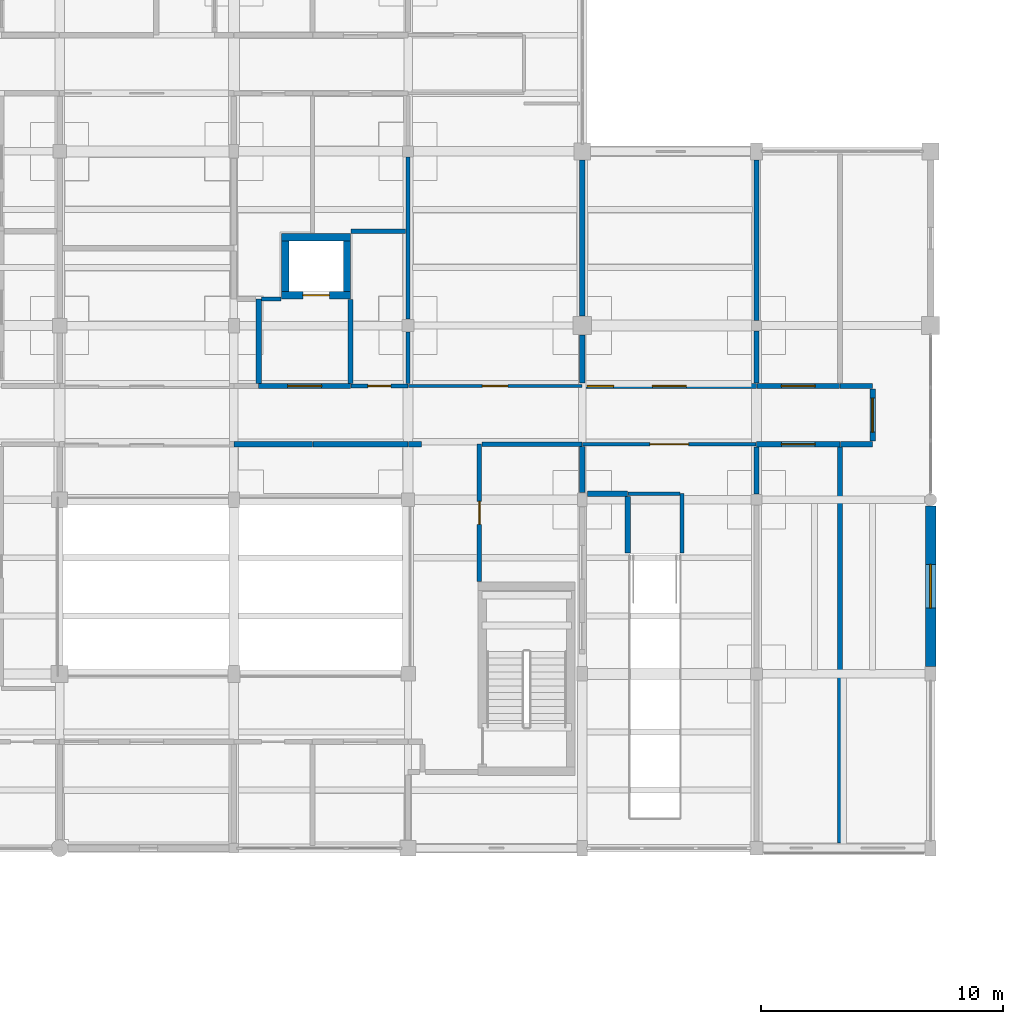
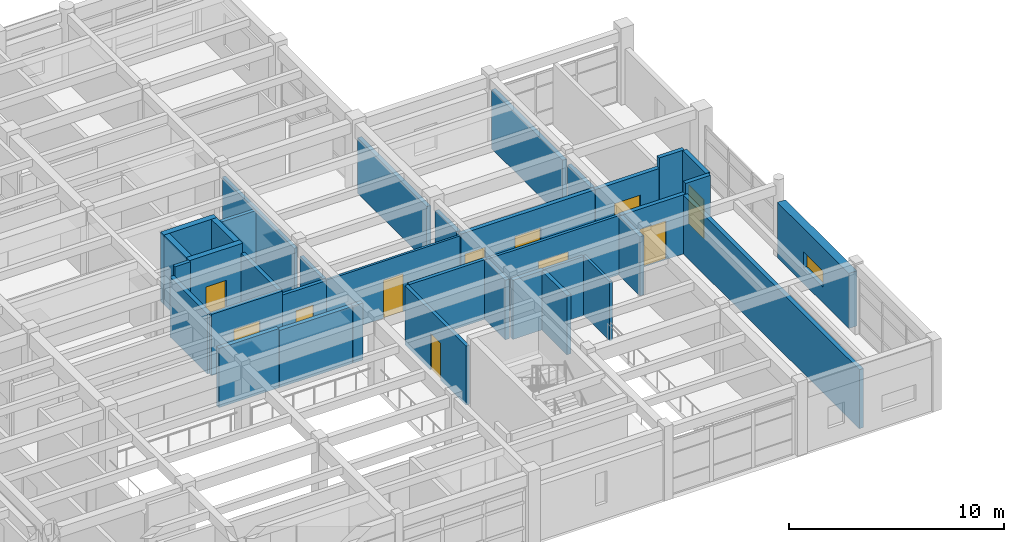
# One storey, part 95 of 110: 37 walls, 10 doors, 2 windows, 12 openings.
"""IFC4 building model written with IfcOpenShell, lengths in metres."""

import ifcopenshell
import ifcopenshell.guid

model = None  # the IFC model being written
_history = None  # IfcOwnerHistory: only IFC2X3 demands one
_inside = {}  # id of a spatial element -> (the spatial element, [elements in it])
_under = {}  # id of a project, library or spatial element -> (it, [spatial elements below it])
_declared = {}  # id of a project -> (the project, [libraries it declares])
_typed = {}  # id of a type object -> (the type object, [elements of that type])
_made_of = {}  # id of a material, layer set ... -> (it, [elements and type objects made of it])


def new_model(schema):
    """Start an empty IFC model of exactly this schema.

    Asked for "IFC4X3", IfcOpenShell would pick the latest addendum, in which some entities
    have other attributes; the version numbers below select the first issue.
    IFC2X3 requires an IfcOwnerHistory on every rooted entity: one is made here for all.
    """
    global model, _history
    if schema == "IFC4X3":
        model = ifcopenshell.file(schema_version=(4, 3, 0, 0))
    else:
        model = ifcopenshell.file(schema=schema)
    _inside.clear()
    _under.clear()
    _declared.clear()
    _typed.clear()
    _made_of.clear()
    _history = None
    if model.schema == "IFC2X3":
        org = make("IfcOrganization", Name="unknown")
        user = make(
            "IfcPersonAndOrganization",
            ThePerson=make("IfcPerson", FamilyName="unknown"),
            TheOrganization=org,
        )
        app = make(
            "IfcApplication",
            ApplicationDeveloper=org,
            Version="unknown",
            ApplicationFullName="unknown",
            ApplicationIdentifier="unknown",
        )
        _history = make(
            "IfcOwnerHistory",
            OwningUser=user,
            OwningApplication=app,
            ChangeAction="ADDED",
            CreationDate=0,
        )
    return model


def make(cls, **values):
    """One entity of the class cls with the attributes given. An attribute that is None is left unset."""
    return model.create_entity(
        cls, **{name: value for name, value in values.items() if value is not None}
    )


def rooted(cls, **values):
    """An entity with a GlobalId (a new one), such as an element, a storey or a relation."""
    return make(cls, GlobalId=ifcopenshell.guid.new(), OwnerHistory=_history, **values)


def si_unit(unit_type, name, prefix=None):
    """IfcSIUnit, for example si_unit("LENGTHUNIT", "METRE", prefix="MILLI")."""
    return make("IfcSIUnit", UnitType=unit_type, Prefix=prefix, Name=name)


def assignment(units):
    """IfcUnitAssignment: the units of a project."""
    return None if units is None else make("IfcUnitAssignment", Units=units)


def point(xyz):
    """IfcCartesianPoint."""
    return None if xyz is None else make("IfcCartesianPoint", Coordinates=xyz)


def direction(xyz):
    """IfcDirection."""
    return None if xyz is None else make("IfcDirection", DirectionRatios=xyz)


def frame(location, z_axis=None, x_axis=None):
    """IfcAxis2Placement3D, a coordinate frame: its origin and axes. An axis left out is left unset."""
    return make(
        "IfcAxis2Placement3D",
        Location=point(location),
        Axis=direction(z_axis),
        RefDirection=direction(x_axis),
    )


def frame_2d(location, x_axis=None):
    """IfcAxis2Placement2D, a coordinate frame in the plane: its origin and x axis."""
    return make(
        "IfcAxis2Placement2D", Location=point(location), RefDirection=direction(x_axis)
    )


def origin():
    """The frame at (0, 0, 0) with its axes left unset."""
    return frame((0.0, 0.0, 0.0))


def place(relative_to, where):
    """IfcLocalPlacement: puts the frame where relative to a parent placement (None: the world)."""
    return make(
        "IfcLocalPlacement", PlacementRelTo=relative_to, RelativePlacement=where
    )


def context(
    kind, dimensions, precision=None, world=None, true_north=None, identifier=None
):
    """IfcGeometricRepresentationContext, for example the 3D "Model" context."""
    return make(
        "IfcGeometricRepresentationContext",
        ContextIdentifier=identifier,
        ContextType=kind,
        CoordinateSpaceDimension=dimensions,
        Precision=precision,
        WorldCoordinateSystem=world,
        TrueNorth=true_north,
    )


def subcontext(parent, identifier, kind, view, scale=None):
    """IfcGeometricRepresentationSubContext, for example "Body" below "Model"."""
    return make(
        "IfcGeometricRepresentationSubContext",
        ContextIdentifier=identifier,
        ContextType=kind,
        ParentContext=parent,
        TargetScale=scale,
        TargetView=view,
    )


def project(units=None, contexts=None):
    """IfcProject with its units and contexts."""
    return rooted(
        "IfcProject",
        Name="project",
        RepresentationContexts=contexts,
        UnitsInContext=assignment(units),
    )


def spatial(cls, under=None, at=None, **own):
    """A site, building, storey or space (cls), placed at a placement, below another one or the project."""
    s = rooted(cls, ObjectPlacement=at, **own)
    if under is not None:
        _under.setdefault(under.id(), (under, []))[1].append(s)
    return s


def profile(cls, at=None, kind="AREA", **sizes):
    """A parametric profile (cls). Its sizes go by their IFC names, for example OverallWidth=200.0."""
    return make(cls, ProfileType=kind, Position=at, **sizes)


def rectangle(**sizes):
    """IfcRectangleProfileDef."""
    return profile("IfcRectangleProfileDef", **sizes)


def extrude(swept, where, along, depth):
    """IfcExtrudedAreaSolid: the profile swept, set in the frame where, extruded along a direction by depth."""
    return make(
        "IfcExtrudedAreaSolid",
        SweptArea=swept,
        Position=where,
        ExtrudedDirection=direction(along),
        Depth=depth,
    )


def shape(context_of_items, identifier, shape_type, items):
    """IfcShapeRepresentation: the items that make up one representation, for example the "Body"."""
    return make(
        "IfcShapeRepresentation",
        ContextOfItems=context_of_items,
        RepresentationIdentifier=identifier,
        RepresentationType=shape_type,
        Items=items,
    )


def material(Name=None, Category=None):
    """IfcMaterial."""
    return make("IfcMaterial", Name=Name, Category=Category)


def layer(
    of_material, thickness, ventilated=None, Name=None, Category=None, Priority=None
):
    """IfcMaterialLayer: one layer of a wall or slab, of a material (None: an air gap)."""
    return make(
        "IfcMaterialLayer",
        Material=of_material,
        LayerThickness=thickness,
        IsVentilated=ventilated,
        Name=Name,
        Category=Category,
        Priority=Priority,
    )


def layer_set(layers, Name=None):
    """IfcMaterialLayerSet."""
    return make("IfcMaterialLayerSet", MaterialLayers=layers, LayerSetName=Name)


def made_of(thing, what):
    """Note that an element or type object is made of a material, layer set ...; save() writes the relation."""
    if what is not None:
        _made_of.setdefault(what.id(), (what, []))[1].append(thing)
    return thing


def type_object(cls, material=None, **own):
    """A type object (cls), such as IfcWallType, which elements share."""
    return made_of(rooted(cls, **own), material)


def element(
    cls,
    number,
    at=None,
    inside=None,
    cuts=None,
    type_object=None,
    material=None,
    context=None,
    identifier="Body",
    shape_type=None,
    held_by="IfcProductDefinitionShape",
    body=None,
    shapes=None,
    **own,
):
    """One element of the class cls, such as IfcWall. Its Tag is "e" and its number.

    at: its placement. inside: the storey or other place that contains it. cuts: it is an
    opening in that element (IfcRelVoidsElement). A single representation is given by context,
    identifier, shape_type and body (its items); several are given by shapes. held_by: the class
    of the entity that holds the representations. save() writes the other relations.
    """
    e = rooted(cls, Tag="e%d" % number, ObjectPlacement=at, **own)
    if body is not None:
        shapes = [shape(context, identifier, shape_type, body)]
    if shapes is not None:
        e.Representation = make(held_by, Representations=shapes)
    if inside is not None:
        _inside.setdefault(inside.id(), (inside, []))[1].append(e)
    if cuts is not None:
        rooted(
            "IfcRelVoidsElement", RelatingBuildingElement=cuts, RelatedOpeningElement=e
        )
    if type_object is not None:
        _typed.setdefault(type_object.id(), (type_object, []))[1].append(e)
    return made_of(e, material)


def fill(opening, filler):
    """IfcRelFillsElement: the door or window that sits in an opening."""
    return rooted(
        "IfcRelFillsElement",
        RelatingOpeningElement=opening,
        RelatedBuildingElement=filler,
    )


def aggregate(whole, parts):
    """IfcRelAggregates: a whole, such as a stair, and the parts it consists of."""
    return rooted("IfcRelAggregates", RelatingObject=whole, RelatedObjects=parts)


def save(model, path):
    """Write the relations noted so far, then the file.

    IfcRelAggregates (storeys below a building ...), IfcRelContainedInSpatialStructure (elements
    in a storey), IfcRelDefinesByType, IfcRelAssociatesMaterial and IfcRelDeclares: one each for
    every whole, place, type object, material and project.
    """
    for whole, parts in _under.values():
        aggregate(whole, parts)
    for where, things in _inside.values():
        rooted(
            "IfcRelContainedInSpatialStructure",
            RelatedElements=things,
            RelatingStructure=where,
        )
    for kind, things in _typed.values():
        rooted("IfcRelDefinesByType", RelatedObjects=things, RelatingType=kind)
    for what, things in _made_of.values():
        rooted("IfcRelAssociatesMaterial", RelatedObjects=things, RelatingMaterial=what)
    for by, libraries in _declared.values():
        rooted("IfcRelDeclares", RelatingContext=by, RelatedDefinitions=libraries)
    model.write(path)


model = new_model("IFC4")

# Units and contexts
model_context = context("Model", 3, precision=1e-05, world=origin(), true_north=direction((0.0, 1.0)))
body_context = subcontext(model_context, "Body", "Model", "MODEL_VIEW")
ifc_project = project(units=[si_unit("LENGTHUNIT", "METRE"), si_unit("AREAUNIT", "SQUARE_METRE"), si_unit("VOLUMEUNIT", "CUBIC_METRE"), si_unit("PLANEANGLEUNIT", "RADIAN"), si_unit("MASSUNIT", "GRAM", prefix="KILO")], contexts=[model_context])

# Site, building, storey
site_placement = place(None, origin())
site = spatial("IfcSite", under=ifc_project, at=site_placement, CompositionType="ELEMENT")
building_placement = place(site_placement, origin())
building = spatial("IfcBuilding", under=site, at=building_placement, Name="Steenspoor Specialist Clinic", CompositionType="ELEMENT")
storey_placement = place(building_placement, frame((0.0, 0.0, 4.800048828125)))
storey = spatial("IfcBuildingStorey", under=building, at=storey_placement, Name="L01", CompositionType="ELEMENT", Elevation=4.800048828125)

# Wall, opening, window
ifc_material_1 = material(Name="Extruded clay brick masonry", Category="masonry")
ifc_layer_1 = layer(ifc_material_1, 0.43994140625)
ifc_layer_set_1 = layer_set([ifc_layer_1], Name="Extruded clay brick masonry")
wall_type_1 = type_object("IfcWallType", Name="W-BRICK-440", PredefinedType="USERDEFINED", material=ifc_layer_set_1)
wall_1_placement = place(storey_placement, frame((161.199951171875, 79.300048828125, 0.0), z_axis=(0.0, 0.0, 1.0), x_axis=(0.0, -1.0, 0.0)))
wall_1 = element("IfcWall", 1, at=wall_1_placement, inside=storey, type_object=wall_type_1, Name="Exterior Brick Wall EW-V6-L01-0311", ObjectType="CAVITY VENEER", PredefinedType="USERDEFINED", context=body_context, shape_type="SweptSolid", body=[
    extrude(rectangle(XDim=6.650146484375, YDim=0.43994140625, at=frame_2d((3.3251953125, 0.0))), origin(), (0.0, 0.0, 1.0), 3.1298828125),
])
opening_1_placement = place(wall_1_placement, frame((2.425048828125, 0.0, 0.89990234375)))
opening_1 = element("IfcOpeningElement", 2, at=opening_1_placement, cuts=wall_1, Name="Opening WN-22", PredefinedType="OPENING", context=body_context, shape_type="SweptSolid", body=[
    extrude(rectangle(XDim=1.800048828125, YDim=0.89990234375, at=frame_2d((0.89990234375, 0.449951171875))), frame((0.0, 0.22998046875, 0.0), z_axis=(0.0, -1.0, 0.0), x_axis=(1.0, 0.0, 0.0)), (0.0, 0.0, 1.0), 0.4599609375),
])
ifc_material_2 = material(Name="Thermally broken aluminium and low-emissivity glass", Category="aluminium")
window_type_1 = type_object("IfcWindowType", Name="WN-EXT-180X090", PartitioningType="SINGLE_PANEL", PredefinedType="WINDOW", material=ifc_material_2)
window_1_placement = place(opening_1_placement, origin())
window_1 = element("IfcWindow", 3, at=window_1_placement, inside=storey, type_object=window_type_1, Name="Window 0333", OverallHeight=0.89990234375, OverallWidth=1.800048828125, PartitioningType="SINGLE_PANEL", PredefinedType="WINDOW", context=body_context, shape_type="SweptSolid", body=[
    extrude(rectangle(XDim=1.800048828125, YDim=0.89990234375, at=frame_2d((0.89990234375, 0.449951171875))), frame((0.0, 0.030029296875, 0.0), z_axis=(0.0, -1.0, 0.0), x_axis=(1.0, 0.0, 0.0)), (0.0, 0.0, 1.0), 0.06005859375),
])
fill(opening_1, window_1)

# Wall, opening, door
ifc_material_3 = material(Name="Gypsum acoustic clinical partition", Category="gypsum")
ifc_layer_2 = layer(ifc_material_3, 0.14990234375)
ifc_layer_set_2 = layer_set([ifc_layer_2], Name="Gypsum acoustic clinical partition")
wall_type_2 = type_object("IfcWallType", Name="W-CLIN-150", PredefinedType="PARTITIONING", material=ifc_layer_set_2)
wall_2_placement = place(storey_placement, frame((146.81494140625, 81.85009765625, 0.0), z_axis=(0.0, 0.0, 1.0), x_axis=(1.0, 0.0, 0.0)))
wall_2 = element("IfcWall", 4, at=wall_2_placement, inside=storey, type_object=wall_type_2, Name="Interior Partition IW-V6-L01-0935", PredefinedType="PARTITIONING", context=body_context, shape_type="SweptSolid", body=[
    extrude(rectangle(XDim=7.170166015625, YDim=0.14990234375, at=frame_2d((3.5849609375, 0.0))), origin(), (0.0, 0.0, 1.0), 3.35498046875),
])
opening_2_placement = place(wall_2_placement, frame((2.784912109375, 0.0, 0.0)))
opening_2 = element("IfcOpeningElement", 5, at=opening_2_placement, cuts=wall_2, Name="Opening D0433", PredefinedType="OPENING", context=body_context, shape_type="SweptSolid", body=[
    extrude(rectangle(XDim=1.60009765625, YDim=2.25, at=frame_2d((0.800048828125, 1.125))), frame((0.0, 0.0849609375, 0.0), z_axis=(0.0, -1.0, 0.0), x_axis=(1.0, 0.0, 0.0)), (0.0, 0.0, 1.0), 0.169921875),
])
ifc_material_4 = material(Name="Hygienic HPL clinical timber door", Category="wood")
door_type_1 = type_object("IfcDoorType", Name="DT-PROC-160X225", OperationType="NOTDEFINED", PredefinedType="DOOR", material=ifc_material_4)
door_1_placement = place(opening_2_placement, origin())
door_1 = element("IfcDoor", 6, at=door_1_placement, inside=storey, type_object=door_type_1, Name="Clinical Door D0433", OperationType="SINGLE_SWING_RIGHT", OverallHeight=2.25, OverallWidth=1.60009765625, PredefinedType="DOOR", context=body_context, shape_type="SweptSolid", body=[
    extrude(rectangle(XDim=1.60009765625, YDim=2.25, at=frame_2d((0.800048828125, 1.125))), frame((0.0, 0.02490234375, 0.0), z_axis=(0.0, -1.0, 0.0), x_axis=(1.0, 0.0, 0.0)), (0.0, 0.0, 1.0), 0.050048828125),
])
fill(opening_2, door_1)

# Walls
wall_3_placement = place(storey_placement, frame((150.925048828125, 77.35009765625, 0.0), z_axis=(0.0, 0.0, 1.0), x_axis=(0.0, 1.0, 0.0)))
element("IfcWall", 7, at=wall_3_placement, inside=storey, type_object=wall_type_2, Name="Interior Partition IW-V6-L01-1213", PredefinedType="PARTITIONING", context=body_context, shape_type="SweptSolid", body=[
    extrude(rectangle(XDim=2.449951171875, YDim=0.14990234375, at=frame_2d((1.22509765625, 0.0))), origin(), (0.0, 0.0, 1.0), 3.35498046875),
])
wall_4_placement = place(storey_placement, frame((148.68994140625, 79.800048828125, 0.0), z_axis=(0.0, 0.0, 1.0), x_axis=(1.0, 0.0, 0.0)))
element("IfcWall", 8, at=wall_4_placement, inside=storey, type_object=wall_type_2, Name="Interior Partition IW-V6-L01-1214", PredefinedType="PARTITIONING", context=body_context, shape_type="SweptSolid", body=[
    extrude(rectangle(XDim=2.14501953125, YDim=0.14990234375, at=frame_2d((1.072509765625, 0.0))), origin(), (0.0, 0.0, 1.0), 3.35498046875),
])
ifc_material_5 = material(Name="Fire-rated clay blockwork masonry", Category="masonry")
ifc_layer_3 = layer(ifc_material_5, 0.219970703125)
ifc_layer_set_3 = layer_set([ifc_layer_3], Name="Fire-rated clay blockwork masonry")
wall_type_3 = type_object("IfcWallType", Name="W-FIRE-220", PredefinedType="PARTITIONING", material=ifc_layer_set_3)
wall_5_placement = place(storey_placement, frame((133.425048828125, 84.364990234375, 0.0), z_axis=(0.0, 0.0, 1.0), x_axis=(0.0, 1.0, 0.0)))
element("IfcWall", 9, at=wall_5_placement, inside=storey, type_object=wall_type_3, Name="Interior Partition IW-V6-L01-0683", PredefinedType="PARTITIONING", context=body_context, shape_type="SweptSolid", body=[
    extrude(rectangle(XDim=3.485107421875, YDim=0.219970703125, at=frame_2d((1.74267578125, 0.0))), origin(), (0.0, 0.0, 1.0), 3.4150390625),
])

# Wall, opening, door
wall_6_placement = place(storey_placement, frame((154.0, 81.85009765625, 0.0), z_axis=(0.0, 0.0, 1.0), x_axis=(1.0, 0.0, 0.0)))
wall_6 = element("IfcWall", 10, at=wall_6_placement, inside=storey, type_object=wall_type_3, Name="Interior Partition IW-V6-L01-0706", PredefinedType="PARTITIONING", context=body_context, shape_type="SweptSolid", body=[
    extrude(rectangle(XDim=3.449951171875, YDim=0.219970703125, at=frame_2d((1.72509765625, 0.0))), origin(), (0.0, 0.0, 1.0), 3.35498046875),
])
opening_3_placement = place(wall_6_placement, frame((1.02490234375, 0.0, 0.0)))
opening_3 = element("IfcOpeningElement", 11, at=opening_3_placement, cuts=wall_6, Name="Opening D0434", PredefinedType="OPENING", context=body_context, shape_type="SweptSolid", body=[
    extrude(rectangle(XDim=1.39990234375, YDim=2.199951171875, at=frame_2d((0.699951171875, 1.10009765625))), frame((0.0, 0.1201171875, 0.0), z_axis=(0.0, -1.0, 0.0), x_axis=(1.0, 0.0, 0.0)), (0.0, 0.0, 1.0), 0.239990234375),
])
ifc_material_6 = material(Name="Fire-rated clinical laminate door", Category="steel")
door_type_2 = type_object("IfcDoorType", Name="DT-LAB-140X220", OperationType="NOTDEFINED", PredefinedType="DOOR", material=ifc_material_6)
door_2_placement = place(opening_3_placement, origin())
door_2 = element("IfcDoor", 12, at=door_2_placement, inside=storey, type_object=door_type_2, Name="Clinical Door D0434", OperationType="SINGLE_SWING_LEFT", OverallHeight=2.199951171875, OverallWidth=1.39990234375, PredefinedType="DOOR", context=body_context, shape_type="SweptSolid", body=[
    extrude(rectangle(XDim=1.39990234375, YDim=2.199951171875, at=frame_2d((0.699951171875, 1.10009765625))), frame((0.0, 0.02490234375, 0.0), z_axis=(0.0, -1.0, 0.0), x_axis=(1.0, 0.0, 0.0)), (0.0, 0.0, 1.0), 0.050048828125),
])
fill(opening_3, door_2)

# Walls
wall_7_placement = place(storey_placement, frame((157.449951171875, 84.25, 0.0), z_axis=(0.0, 0.0, 1.0), x_axis=(1.0, 0.0, 0.0)))
element("IfcWall", 13, at=wall_7_placement, inside=storey, type_object=wall_type_3, Name="Interior Partition IW-V6-L01-0707", PredefinedType="PARTITIONING", context=body_context, shape_type="SweptSolid", body=[
    extrude(rectangle(XDim=1.35009765625, YDim=0.219970703125, at=frame_2d((0.675048828125, 0.0))), origin(), (0.0, 0.0, 1.0), 3.949951171875),
])
wall_8_placement = place(storey_placement, frame((157.465087890625, 81.85009765625, 0.0), z_axis=(0.0, 0.0, 1.0), x_axis=(1.0, 0.0, 0.0)))
element("IfcWall", 14, at=wall_8_placement, inside=storey, type_object=wall_type_3, Name="Interior Partition IW-V6-L01-0708", PredefinedType="PARTITIONING", context=body_context, shape_type="SweptSolid", body=[
    extrude(rectangle(XDim=1.3349609375, YDim=0.219970703125, at=frame_2d((0.66748046875, 0.0))), origin(), (0.0, 0.0, 1.0), 3.949951171875),
])

# Wall, opening, door
wall_9_placement = place(storey_placement, frame((158.800048828125, 81.97509765625, 0.0), z_axis=(0.0, 0.0, 1.0), x_axis=(0.0, 1.0, 0.0)))
wall_9 = element("IfcWall", 15, at=wall_9_placement, inside=storey, type_object=wall_type_3, Name="Interior Partition IW-V6-L01-0709", PredefinedType="PARTITIONING", context=body_context, shape_type="SweptSolid", body=[
    extrude(rectangle(XDim=2.14990234375, YDim=0.219970703125, at=frame_2d((1.074951171875, 0.0))), origin(), (0.0, 0.0, 1.0), 3.949951171875),
])
opening_4_placement = place(wall_9_placement, frame((0.375, 0.0, 0.0)))
opening_4 = element("IfcOpeningElement", 16, at=opening_4_placement, cuts=wall_9, Name="Opening D0435", PredefinedType="OPENING", context=body_context, shape_type="SweptSolid", body=[
    extrude(rectangle(XDim=1.39990234375, YDim=2.199951171875, at=frame_2d((0.699951171875, 1.10009765625))), frame((0.0, 0.1201171875, 0.0), z_axis=(0.0, -1.0, 0.0), x_axis=(1.0, 0.0, 0.0)), (0.0, 0.0, 1.0), 0.239990234375),
])
door_3_placement = place(opening_4_placement, origin())
door_3 = element("IfcDoor", 17, at=door_3_placement, inside=storey, type_object=door_type_2, Name="Clinical Door D0435", OperationType="SINGLE_SWING_RIGHT", OverallHeight=2.199951171875, OverallWidth=1.39990234375, PredefinedType="DOOR", context=body_context, shape_type="SweptSolid", body=[
    extrude(rectangle(XDim=1.39990234375, YDim=2.199951171875, at=frame_2d((0.699951171875, 1.10009765625))), frame((0.0, 0.02490234375, 0.0), z_axis=(0.0, -1.0, 0.0), x_axis=(1.0, 0.0, 0.0)), (0.0, 0.0, 1.0), 0.050048828125),
])
fill(opening_4, door_3)

# Walls
wall_10_placement = place(storey_placement, frame((132.4150390625, 81.85009765625, 0.0), z_axis=(0.0, 0.0, 1.0), x_axis=(1.0, 0.0, 0.0)))
element("IfcWall", 18, at=wall_10_placement, inside=storey, type_object=wall_type_3, Name="Interior Partition IW-V6-L01-0711", PredefinedType="PARTITIONING", context=body_context, shape_type="SweptSolid", body=[
    extrude(rectangle(XDim=3.23486328125, YDim=0.219970703125, at=frame_2d((1.617431640625, 0.0))), origin(), (0.0, 0.0, 1.0), 3.35498046875),
])
wall_11_placement = place(storey_placement, frame((135.6650390625, 81.85009765625, 0.0), z_axis=(0.0, 0.0, 1.0), x_axis=(1.0, 0.0, 0.0)))
element("IfcWall", 19, at=wall_11_placement, inside=storey, type_object=wall_type_3, Name="Interior Partition IW-V6-L01-0712", PredefinedType="PARTITIONING", context=body_context, shape_type="SweptSolid", body=[
    extrude(rectangle(XDim=3.93505859375, YDim=0.219970703125, at=frame_2d((1.967529296875, 0.0))), origin(), (0.0, 0.0, 1.0), 3.23486328125),
])
wall_12_placement = place(storey_placement, frame((139.614990234375, 81.85009765625, 0.0), z_axis=(0.0, 0.0, 1.0), x_axis=(1.0, 0.0, 0.0)))
element("IfcWall", 20, at=wall_12_placement, inside=storey, type_object=wall_type_3, Name="Interior Partition IW-V6-L01-0713", PredefinedType="PARTITIONING", context=body_context, shape_type="SweptSolid", body=[
    extrude(rectangle(XDim=0.534912109375, YDim=0.219970703125, at=frame_2d((0.267578125, 0.0))), origin(), (0.0, 0.0, 1.0), 3.23486328125),
])

# Wall, openings, door, window
wall_13_placement = place(storey_placement, frame((146.800048828125, 84.25, 0.0), z_axis=(0.0, 0.0, 1.0), x_axis=(1.0, 0.0, 0.0)))
wall_13 = element("IfcWall", 21, at=wall_13_placement, inside=storey, type_object=wall_type_3, Name="Interior Partition IW-V6-L01-0718", PredefinedType="PARTITIONING", context=body_context, shape_type="SweptSolid", body=[
    extrude(rectangle(XDim=7.199951171875, YDim=0.219970703125, at=frame_2d((3.60009765625, 0.0))), origin(), (0.0, 0.0, 1.0), 3.35498046875),
])
opening_5_placement = place(wall_13_placement, frame((2.89990234375, 0.0, 0.0)))
opening_5 = element("IfcOpeningElement", 22, at=opening_5_placement, cuts=wall_13, Name="Opening D0443", PredefinedType="OPENING", context=body_context, shape_type="SweptSolid", body=[
    extrude(rectangle(XDim=1.39990234375, YDim=2.199951171875, at=frame_2d((0.699951171875, 1.10009765625))), frame((0.0, 0.1201171875, 0.0), z_axis=(0.0, -1.0, 0.0), x_axis=(1.0, 0.0, 0.0)), (0.0, 0.0, 1.0), 0.239990234375),
])
opening_6_placement = place(wall_13_placement, frame((0.199951171875, 0.0, 1.050048828125)))
opening_6 = element("IfcOpeningElement", 23, at=opening_6_placement, cuts=wall_13, Name="Opening IWN-02", PredefinedType="OPENING", context=body_context, shape_type="SweptSolid", body=[
    extrude(rectangle(XDim=1.10009765625, YDim=1.10009765625, at=frame_2d((0.550048828125, 0.550048828125))), frame((0.0, 0.1201171875, 0.0), z_axis=(0.0, -1.0, 0.0), x_axis=(1.0, 0.0, 0.0)), (0.0, 0.0, 1.0), 0.239990234375),
])
door_4_placement = place(opening_5_placement, origin())
door_4 = element("IfcDoor", 24, at=door_4_placement, inside=storey, type_object=door_type_2, Name="Clinical Door D0443", OperationType="SINGLE_SWING_RIGHT", OverallHeight=2.199951171875, OverallWidth=1.39990234375, PredefinedType="DOOR", context=body_context, shape_type="SweptSolid", body=[
    extrude(rectangle(XDim=1.39990234375, YDim=2.199951171875, at=frame_2d((0.699951171875, 1.10009765625))), frame((0.0, 0.02490234375, 0.0), z_axis=(0.0, -1.0, 0.0), x_axis=(1.0, 0.0, 0.0)), (0.0, 0.0, 1.0), 0.050048828125),
])
fill(opening_5, door_4)
window_type_2 = type_object("IfcWindowType", Name="IWND-OBS-110X110", PartitioningType="SINGLE_PANEL", PredefinedType="WINDOW", material=ifc_material_2)
window_2_placement = place(opening_6_placement, origin())
window_2 = element("IfcWindow", 25, at=window_2_placement, inside=storey, type_object=window_type_2, Name="Observation Window 016", OverallHeight=1.10009765625, OverallWidth=1.10009765625, PartitioningType="SINGLE_PANEL", PredefinedType="WINDOW", context=body_context, shape_type="SweptSolid", body=[
    extrude(rectangle(XDim=1.10009765625, YDim=1.10009765625, at=frame_2d((0.550048828125, 0.550048828125))), frame((0.0, 0.030029296875, 0.0), z_axis=(0.0, -1.0, 0.0), x_axis=(1.0, 0.0, 0.0)), (0.0, 0.0, 1.0), 0.06005859375),
])
fill(opening_6, window_2)

# Wall, opening, door
wall_14_placement = place(storey_placement, frame((154.014892578125, 84.25, 0.0), z_axis=(0.0, 0.0, 1.0), x_axis=(1.0, 0.0, 0.0)))
wall_14 = element("IfcWall", 26, at=wall_14_placement, inside=storey, type_object=wall_type_3, Name="Interior Partition IW-V6-L01-0719", PredefinedType="PARTITIONING", context=body_context, shape_type="SweptSolid", body=[
    extrude(rectangle(XDim=3.420166015625, YDim=0.219970703125, at=frame_2d((1.7099609375, 0.0))), origin(), (0.0, 0.0, 1.0), 3.35498046875),
])
opening_7_placement = place(wall_14_placement, frame((1.010009765625, 0.0, 0.0)))
opening_7 = element("IfcOpeningElement", 27, at=opening_7_placement, cuts=wall_14, Name="Opening D0444", PredefinedType="OPENING", context=body_context, shape_type="SweptSolid", body=[
    extrude(rectangle(XDim=1.39990234375, YDim=2.199951171875, at=frame_2d((0.699951171875, 1.10009765625))), frame((0.0, 0.1201171875, 0.0), z_axis=(0.0, -1.0, 0.0), x_axis=(1.0, 0.0, 0.0)), (0.0, 0.0, 1.0), 0.239990234375),
])
door_5_placement = place(opening_7_placement, origin())
door_5 = element("IfcDoor", 28, at=door_5_placement, inside=storey, type_object=door_type_2, Name="Clinical Door D0444", OperationType="SINGLE_SWING_LEFT", OverallHeight=2.199951171875, OverallWidth=1.39990234375, PredefinedType="DOOR", context=body_context, shape_type="SweptSolid", body=[
    extrude(rectangle(XDim=1.39990234375, YDim=2.199951171875, at=frame_2d((0.699951171875, 1.10009765625))), frame((0.0, 0.02490234375, 0.0), z_axis=(0.0, -1.0, 0.0), x_axis=(1.0, 0.0, 0.0)), (0.0, 0.0, 1.0), 0.050048828125),
])
fill(opening_7, door_5)

# Walls
wall_15_placement = place(storey_placement, frame((146.800048828125, 79.840087890625, 0.0), z_axis=(0.0, 0.0, 1.0), x_axis=(0.0, 1.0, 0.0)))
element("IfcWall", 29, at=wall_15_placement, inside=storey, type_object=wall_type_3, Name="Interior Partition IW-V6-L01-1044", PredefinedType="PARTITIONING", context=body_context, shape_type="SweptSolid", body=[
    extrude(rectangle(XDim=1.905029296875, YDim=0.219970703125, at=frame_2d((0.95263671875, 0.0))), origin(), (0.0, 0.0, 1.0), 3.385009765625),
])
wall_16_placement = place(storey_placement, frame((147.014892578125, 79.800048828125, 0.0), z_axis=(0.0, 0.0, 1.0), x_axis=(1.0, 0.0, 0.0)))
element("IfcWall", 30, at=wall_16_placement, inside=storey, type_object=wall_type_3, Name="Interior Partition IW-V6-L01-1045", PredefinedType="PARTITIONING", context=body_context, shape_type="SweptSolid", body=[
    extrude(rectangle(XDim=1.66015625, YDim=0.219970703125, at=frame_2d((0.830078125, 0.0))), origin(), (0.0, 0.0, 1.0), 3.35498046875),
])
wall_17_placement = place(storey_placement, frame((148.675048828125, 77.35009765625, 0.0), z_axis=(0.0, 0.0, 1.0), x_axis=(0.0, 1.0, 0.0)))
element("IfcWall", 31, at=wall_17_placement, inside=storey, type_object=wall_type_3, Name="Interior Partition IW-V6-L01-1046", PredefinedType="PARTITIONING", context=body_context, shape_type="SweptSolid", body=[
    extrude(rectangle(XDim=2.324951171875, YDim=0.219970703125, at=frame_2d((1.16259765625, 0.0))), origin(), (0.0, 0.0, 1.0), 3.35498046875),
])
wall_18_placement = place(storey_placement, frame((154.0, 79.7900390625, 0.0), z_axis=(0.0, 0.0, 1.0), x_axis=(0.0, 1.0, 0.0)))
element("IfcWall", 32, at=wall_18_placement, inside=storey, type_object=wall_type_3, Name="Interior Partition IW-V6-L01-1049", PredefinedType="PARTITIONING", context=body_context, shape_type="SweptSolid", body=[
    extrude(rectangle(XDim=1.93505859375, YDim=0.219970703125, at=frame_2d((0.967529296875, 0.0))), origin(), (0.0, 0.0, 1.0), 3.35498046875),
])
wall_19_placement = place(storey_placement, frame((157.449951171875, 65.3701171875, 0.0), z_axis=(0.0, 0.0, 1.0), x_axis=(0.0, 1.0, 0.0)))
element("IfcWall", 33, at=wall_19_placement, inside=storey, type_object=wall_type_3, Name="Interior Partition IW-V6-L01-1050", PredefinedType="PARTITIONING", context=body_context, shape_type="SweptSolid", body=[
    extrude(rectangle(XDim=16.35498046875, YDim=0.219970703125, at=frame_2d((8.177490234375, 0.0))), origin(), (0.0, 0.0, 1.0), 3.35498046875),
])
wall_20_placement = place(storey_placement, frame((146.800048828125, 84.375, 0.0), z_axis=(0.0, 0.0, 1.0), x_axis=(0.0, 1.0, 0.0)))
element("IfcWall", 34, at=wall_20_placement, inside=storey, type_object=wall_type_3, Name="Interior Partition IW-V6-L01-1059", PredefinedType="PARTITIONING", context=body_context, shape_type="SweptSolid", body=[
    extrude(rectangle(XDim=1.985107421875, YDim=0.219970703125, at=frame_2d((0.99267578125, 0.0))), origin(), (0.0, 0.0, 1.0), 3.385009765625),
])
wall_21_placement = place(storey_placement, frame((146.800048828125, 87.139892578125, 0.0), z_axis=(0.0, 0.0, 1.0), x_axis=(0.0, 1.0, 0.0)))
element("IfcWall", 35, at=wall_21_placement, inside=storey, type_object=wall_type_3, Name="Interior Partition IW-V6-L01-1060", PredefinedType="PARTITIONING", context=body_context, shape_type="SweptSolid", body=[
    extrude(rectangle(XDim=6.445068359375, YDim=0.219970703125, at=frame_2d((3.22265625, 0.0))), origin(), (0.0, 0.0, 1.0), 3.135009765625),
])
wall_22_placement = place(storey_placement, frame((154.0, 84.375, 0.0), z_axis=(0.0, 0.0, 1.0), x_axis=(0.0, 1.0, 0.0)))
element("IfcWall", 36, at=wall_22_placement, inside=storey, type_object=wall_type_3, Name="Interior Partition IW-V6-L01-1061", PredefinedType="PARTITIONING", context=body_context, shape_type="SweptSolid", body=[
    extrude(rectangle(XDim=2.159912109375, YDim=0.219970703125, at=frame_2d((1.080078125, 0.0))), origin(), (0.0, 0.0, 1.0), 3.35498046875),
])
wall_23_placement = place(storey_placement, frame((154.0, 86.965087890625, 0.0), z_axis=(0.0, 0.0, 1.0), x_axis=(0.0, 1.0, 0.0)))
element("IfcWall", 37, at=wall_23_placement, inside=storey, type_object=wall_type_3, Name="Interior Partition IW-V6-L01-1062", PredefinedType="PARTITIONING", context=body_context, shape_type="SweptSolid", body=[
    extrude(rectangle(XDim=6.619873046875, YDim=0.219970703125, at=frame_2d((3.31005859375, 0.0))), origin(), (0.0, 0.0, 1.0), 3.35498046875),
])

# Wall, opening, door
ifc_material_7 = material(Name="Gypsum studio partition board", Category="gypsum")
ifc_layer_4 = layer(ifc_material_7, 0.1201171875)
ifc_layer_set_4 = layer_set([ifc_layer_4], Name="Gypsum studio partition board")
wall_type_4 = type_object("IfcWallType", Name="W-PART-120", PredefinedType="PARTITIONING", material=ifc_layer_set_4)
wall_24_placement = place(storey_placement, frame((139.614990234375, 84.25, 0.0), z_axis=(0.0, 0.0, 1.0), x_axis=(1.0, 0.0, 0.0)))
wall_24 = element("IfcWall", 38, at=wall_24_placement, inside=storey, type_object=wall_type_4, Name="Interior Partition IW-V6-L01-1024", PredefinedType="PARTITIONING", context=body_context, shape_type="SweptSolid", body=[
    extrude(rectangle(XDim=7.169921875, YDim=0.1201171875, at=frame_2d((3.5849609375, 0.0))), origin(), (0.0, 0.0, 1.0), 3.23486328125),
])
opening_8_placement = place(wall_24_placement, frame((3.06005859375, 0.0, 0.0)))
opening_8 = element("IfcOpeningElement", 39, at=opening_8_placement, cuts=wall_24, Name="Opening D0442", PredefinedType="OPENING", context=body_context, shape_type="SweptSolid", body=[
    extrude(rectangle(XDim=1.050048828125, YDim=2.14990234375, at=frame_2d((0.52490234375, 1.074951171875))), frame((0.0, 0.070068359375, 0.0), z_axis=(0.0, -1.0, 0.0), x_axis=(1.0, 0.0, 0.0)), (0.0, 0.0, 1.0), 0.14013671875),
])
ifc_material_8 = material(Name="Solid-core hardwood office door", Category="wood")
door_type_3 = type_object("IfcDoorType", Name="DT-OFF-105X215", OperationType="NOTDEFINED", PredefinedType="DOOR", material=ifc_material_8)
door_6_placement = place(opening_8_placement, origin())
door_6 = element("IfcDoor", 40, at=door_6_placement, inside=storey, type_object=door_type_3, Name="Clinical Door D0442", OperationType="SINGLE_SWING_LEFT", OverallHeight=2.14990234375, OverallWidth=1.050048828125, PredefinedType="DOOR", context=body_context, shape_type="SweptSolid", body=[
    extrude(rectangle(XDim=1.050048828125, YDim=2.14990234375, at=frame_2d((0.52490234375, 1.074951171875))), frame((0.0, 0.02490234375, 0.0), z_axis=(0.0, -1.0, 0.0), x_axis=(1.0, 0.0, 0.0)), (0.0, 0.0, 1.0), 0.050048828125),
])
fill(opening_8, door_6)

ifc_material_9 = material(Name="Moisture-resistant gypsum plumbing wall", Category="gypsum")
ifc_layer_5 = layer(ifc_material_9, 0.179931640625)
ifc_layer_set_5 = layer_set([ifc_layer_5], Name="Moisture-resistant gypsum plumbing wall")
wall_type_5 = type_object("IfcWallType", Name="W-PLUMB-180", PredefinedType="PLUMBINGWALL", material=ifc_layer_set_5)
wall_25_placement = place(storey_placement, frame((142.550048828125, 76.1650390625, 0.0), z_axis=(0.0, 0.0, 1.0), x_axis=(0.0, 1.0, 0.0)))
wall_25 = element("IfcWall", 41, at=wall_25_placement, inside=storey, type_object=wall_type_5, Name="Interior Partition IW-V6-L01-0789", PredefinedType="PLUMBINGWALL", context=body_context, shape_type="SweptSolid", body=[
    extrude(rectangle(XDim=5.68505859375, YDim=0.179931640625, at=frame_2d((2.842529296875, 0.0))), origin(), (0.0, 0.0, 1.0), 3.35498046875),
])
opening_9_placement = place(wall_25_placement, frame((2.367431640625, 0.0, 0.0)))
opening_9 = element("IfcOpeningElement", 42, at=opening_9_placement, cuts=wall_25, Name="Opening D0438", PredefinedType="OPENING", context=body_context, shape_type="SweptSolid", body=[
    extrude(rectangle(XDim=0.949951171875, YDim=2.10009765625, at=frame_2d((0.47509765625, 1.050048828125))), frame((0.0, 0.10009765625, 0.0), z_axis=(0.0, -1.0, 0.0), x_axis=(1.0, 0.0, 0.0)), (0.0, 0.0, 1.0), 0.199951171875),
])
ifc_material_10 = material(Name="Moisture-resistant HPL sanitary door", Category="wood")
door_type_4 = type_object("IfcDoorType", Name="DT-WC-095X210", OperationType="NOTDEFINED", PredefinedType="DOOR", material=ifc_material_10)
door_7_placement = place(opening_9_placement, origin())
door_7 = element("IfcDoor", 43, at=door_7_placement, inside=storey, type_object=door_type_4, Name="Clinical Door D0438", OperationType="SINGLE_SWING_LEFT", OverallHeight=2.10009765625, OverallWidth=0.949951171875, PredefinedType="DOOR", context=body_context, shape_type="SweptSolid", body=[
    extrude(rectangle(XDim=0.949951171875, YDim=2.10009765625, at=frame_2d((0.47509765625, 1.050048828125))), frame((0.0, 0.02490234375, 0.0), z_axis=(0.0, -1.0, 0.0), x_axis=(1.0, 0.0, 0.0)), (0.0, 0.0, 1.0), 0.050048828125),
])
fill(opening_9, door_7)

# Wall
wall_26_placement = place(storey_placement, frame((142.655029296875, 81.85009765625, 0.0), z_axis=(0.0, 0.0, 1.0), x_axis=(1.0, 0.0, 0.0)))
element("IfcWall", 44, at=wall_26_placement, inside=storey, type_object=wall_type_5, Name="Interior Partition IW-V6-L01-0790", PredefinedType="PLUMBINGWALL", context=body_context, shape_type="SweptSolid", body=[
    extrude(rectangle(XDim=4.14501953125, YDim=0.179931640625, at=frame_2d((2.072509765625, 0.0))), origin(), (0.0, 0.0, 1.0), 3.385009765625),
])

# Wall, opening, door
wall_27_placement = place(storey_placement, frame((137.239990234375, 84.25, 0.0), z_axis=(0.0, 0.0, 1.0), x_axis=(1.0, 0.0, 0.0)))
wall_27 = element("IfcWall", 45, at=wall_27_placement, inside=storey, type_object=wall_type_5, Name="Interior Partition IW-V6-L01-0791", PredefinedType="PLUMBINGWALL", context=body_context, shape_type="SweptSolid", body=[
    extrude(rectangle(XDim=2.360107421875, YDim=0.179931640625, at=frame_2d((1.18017578125, 0.0))), origin(), (0.0, 0.0, 1.0), 3.23486328125),
])
opening_10_placement = place(wall_27_placement, frame((0.705078125, 0.0, 0.0)))
opening_10 = element("IfcOpeningElement", 46, at=opening_10_placement, cuts=wall_27, Name="Opening D0441", PredefinedType="OPENING", context=body_context, shape_type="SweptSolid", body=[
    extrude(rectangle(XDim=0.949951171875, YDim=2.10009765625, at=frame_2d((0.47509765625, 1.050048828125))), frame((0.0, 0.10009765625, 0.0), z_axis=(0.0, -1.0, 0.0), x_axis=(1.0, 0.0, 0.0)), (0.0, 0.0, 1.0), 0.199951171875),
])
door_8_placement = place(opening_10_placement, origin())
door_8 = element("IfcDoor", 47, at=door_8_placement, inside=storey, type_object=door_type_4, Name="Clinical Door D0441", OperationType="SINGLE_SWING_RIGHT", OverallHeight=2.10009765625, OverallWidth=0.949951171875, PredefinedType="DOOR", context=body_context, shape_type="SweptSolid", body=[
    extrude(rectangle(XDim=0.949951171875, YDim=2.10009765625, at=frame_2d((0.47509765625, 1.050048828125))), frame((0.0, 0.02490234375, 0.0), z_axis=(0.0, -1.0, 0.0), x_axis=(1.0, 0.0, 0.0)), (0.0, 0.0, 1.0), 0.050048828125),
])
fill(opening_10, door_8)

# Walls
wall_28_placement = place(storey_placement, frame((139.60009765625, 84.35498046875, 0.0), z_axis=(0.0, 0.0, 1.0), x_axis=(0.0, 1.0, 0.0)))
element("IfcWall", 48, at=wall_28_placement, inside=storey, type_object=wall_type_5, Name="Interior Partition IW-V6-L01-1120", PredefinedType="PLUMBINGWALL", context=body_context, shape_type="SweptSolid", body=[
    extrude(rectangle(XDim=2.130126953125, YDim=0.179931640625, at=frame_2d((1.06494140625, 0.0))), origin(), (0.0, 0.0, 1.0), 3.23486328125),
])
wall_29_placement = place(storey_placement, frame((139.60009765625, 87.014892578125, 0.0), z_axis=(0.0, 0.0, 1.0), x_axis=(0.0, 1.0, 0.0)))
element("IfcWall", 49, at=wall_29_placement, inside=storey, type_object=wall_type_5, Name="Interior Partition IW-V6-L01-1121", PredefinedType="PLUMBINGWALL", context=body_context, shape_type="SweptSolid", body=[
    extrude(rectangle(XDim=6.695068359375, YDim=0.179931640625, at=frame_2d((3.34765625, 0.0))), origin(), (0.0, 0.0, 1.0), 3.35498046875),
])
wall_30_placement = place(storey_placement, frame((137.239990234375, 90.64990234375, 0.0), z_axis=(0.0, 0.0, 1.0), x_axis=(1.0, 0.0, 0.0)))
element("IfcWall", 50, at=wall_30_placement, inside=storey, type_object=wall_type_5, Name="Interior Partition IW-V6-L01-1123", PredefinedType="PLUMBINGWALL", context=body_context, shape_type="SweptSolid", body=[
    extrude(rectangle(XDim=2.255126953125, YDim=0.179931640625, at=frame_2d((1.12744140625, 0.0))), origin(), (0.0, 0.0, 1.0), 3.35498046875),
])
wall_31_placement = place(storey_placement, frame((133.550048828125, 87.85009765625, 0.0), z_axis=(0.0, 0.0, 1.0), x_axis=(1.0, 0.0, 0.0)))
element("IfcWall", 51, at=wall_31_placement, inside=storey, type_object=wall_type_5, Name="Interior Partition IW-V6-L01-1125", PredefinedType="PLUMBINGWALL", context=body_context, shape_type="SweptSolid", body=[
    extrude(rectangle(XDim=0.81005859375, YDim=0.179931640625, at=frame_2d((0.405029296875, 0.0))), origin(), (0.0, 0.0, 1.0), 3.949951171875),
])

# Wall, opening, door
ifc_material_11 = material(Name="Gypsum acoustic smoke barrier board", Category="gypsum")
ifc_layer_6 = layer(ifc_material_11, 0.199951171875)
ifc_layer_set_6 = layer_set([ifc_layer_6], Name="Gypsum acoustic smoke barrier board")
wall_type_6 = type_object("IfcWallType", Name="W-SMOKE-200", PredefinedType="PARTITIONING", material=ifc_layer_set_6)
wall_32_placement = place(storey_placement, frame((133.425048828125, 84.25, 0.0), z_axis=(0.0, 0.0, 1.0), x_axis=(1.0, 0.0, 0.0)))
wall_32 = element("IfcWall", 52, at=wall_32_placement, inside=storey, type_object=wall_type_6, Name="Interior Partition IW-V6-L01-0677", PredefinedType="PARTITIONING", context=body_context, shape_type="SweptSolid", body=[
    extrude(rectangle(XDim=3.800048828125, YDim=0.199951171875, at=frame_2d((1.89990234375, 0.0))), origin(), (0.0, 0.0, 1.0), 3.474853515625),
])
opening_11_placement = place(wall_32_placement, frame((1.199951171875, 0.0, 0.0)))
opening_11 = element("IfcOpeningElement", 53, at=opening_11_placement, cuts=wall_32, Name="Opening D0426", PredefinedType="OPENING", context=body_context, shape_type="SweptSolid", body=[
    extrude(rectangle(XDim=1.39990234375, YDim=2.199951171875, at=frame_2d((0.699951171875, 1.10009765625))), frame((0.0, 0.10986328125, 0.0), z_axis=(0.0, -1.0, 0.0), x_axis=(1.0, 0.0, 0.0)), (0.0, 0.0, 1.0), 0.219970703125),
])
door_9_placement = place(opening_11_placement, origin())
door_9 = element("IfcDoor", 54, at=door_9_placement, inside=storey, type_object=door_type_2, Name="Lift Lobby Fire Door D0426", OperationType="SINGLE_SWING_LEFT", OverallHeight=2.199951171875, OverallWidth=1.39990234375, PredefinedType="DOOR", context=body_context, shape_type="SweptSolid", body=[
    extrude(rectangle(XDim=1.39990234375, YDim=2.199951171875, at=frame_2d((0.699951171875, 1.10009765625))), frame((0.0, 0.02490234375, 0.0), z_axis=(0.0, -1.0, 0.0), x_axis=(1.0, 0.0, 0.0)), (0.0, 0.0, 1.0), 0.050048828125),
])
fill(opening_11, door_9)

# Wall
wall_33_placement = place(storey_placement, frame((137.22509765625, 84.364990234375, 0.0), z_axis=(0.0, 0.0, 1.0), x_axis=(0.0, 1.0, 0.0)))
element("IfcWall", 55, at=wall_33_placement, inside=storey, type_object=wall_type_6, Name="Interior Partition IW-V6-L01-0692", PredefinedType="PARTITIONING", context=body_context, shape_type="SweptSolid", body=[
    extrude(rectangle(XDim=3.469970703125, YDim=0.199951171875, at=frame_2d((1.73486328125, 0.0))), origin(), (0.0, 0.0, 1.0), 3.4150390625),
])

# Wall, opening, door
ifc_material_12 = material(Name="Concrete C40/50", Category="concrete")
ifc_layer_7 = layer(ifc_material_12, 0.300048828125)
ifc_layer_set_7 = layer_set([ifc_layer_7], Name="Concrete C40/50")
wall_type_7 = type_object("IfcWallType", Name="W-SW-300", PredefinedType="SHEAR", material=ifc_layer_set_7)
wall_34_placement = place(storey_placement, frame((134.375, 88.0, 0.0), z_axis=(0.0, 0.0, 1.0), x_axis=(1.0, 0.0, 0.0)))
wall_34 = element("IfcWall", 56, at=wall_34_placement, inside=storey, type_object=wall_type_7, Name="Lift Shaft Shear Wall SW-EL-P3-L01-S", PredefinedType="SHEAR", context=body_context, shape_type="SweptSolid", body=[
    extrude(rectangle(XDim=2.85009765625, YDim=0.300048828125, at=frame_2d((1.425048828125, 0.0))), origin(), (0.0, 0.0, 1.0), 3.949951171875),
])
opening_12_placement = place(wall_34_placement, frame((0.875, 0.0, 0.0)))
opening_12 = element("IfcOpeningElement", 57, at=opening_12_placement, cuts=wall_34, Name="Opening LD23", PredefinedType="OPENING", context=body_context, shape_type="SweptSolid", body=[
    extrude(rectangle(XDim=1.10009765625, YDim=2.14990234375, at=frame_2d((0.550048828125, 1.074951171875))), frame((0.0, 0.16015625, 0.0), z_axis=(0.0, -1.0, 0.0), x_axis=(1.0, 0.0, 0.0)), (0.0, 0.0, 1.0), 0.320068359375),
])
ifc_material_13 = material(Name="Stainless steel lift landing door", Category="steel")
door_type_5 = type_object("IfcDoorType", Name="DT-LIFT-P-110", OperationType="NOTDEFINED", PredefinedType="DOOR", material=ifc_material_13)
door_10_placement = place(opening_12_placement, origin())
door_10 = element("IfcDoor", 58, at=door_10_placement, inside=storey, type_object=door_type_5, Name="Lift Landing Door LD23", OperationType="SLIDING_TO_LEFT", OverallHeight=2.14990234375, OverallWidth=1.10009765625, PredefinedType="DOOR", context=body_context, shape_type="SweptSolid", body=[
    extrude(rectangle(XDim=1.10009765625, YDim=2.14990234375, at=frame_2d((0.550048828125, 1.074951171875))), frame((0.0, 0.02490234375, 0.0), z_axis=(0.0, -1.0, 0.0), x_axis=(1.0, 0.0, 0.0)), (0.0, 0.0, 1.0), 0.050048828125),
])
fill(opening_12, door_10)

# Walls
wall_35_placement = place(storey_placement, frame((134.375, 90.39990234375, 0.0), z_axis=(0.0, 0.0, 1.0), x_axis=(1.0, 0.0, 0.0)))
element("IfcWall", 59, at=wall_35_placement, inside=storey, type_object=wall_type_7, Name="Lift Shaft Shear Wall SW-EL-P3-L01-N", PredefinedType="SHEAR", context=body_context, shape_type="SweptSolid", body=[
    extrude(rectangle(XDim=2.85009765625, YDim=0.300048828125, at=frame_2d((1.425048828125, 0.0))), origin(), (0.0, 0.0, 1.0), 3.949951171875),
])
for number, where, z_axis, x_axis, name in (
    (60, (134.52490234375, 88.14990234375, 0.0), (0.0, 0.0, 1.0), (0.0, 1.0, 0.0), "Lift Shaft Shear Wall SW-EL-P3-L01-W"),
    (61, (137.074951171875, 88.14990234375, 0.0), (0.0, 0.0, 1.0), (0.0, 1.0, 0.0), "Lift Shaft Shear Wall SW-EL-P3-L01-E"),
):
    element("IfcWall", number, at=place(storey_placement, frame(where, z_axis=z_axis, x_axis=x_axis)), inside=storey, type_object=wall_type_7, Name=name, PredefinedType="SHEAR", context=body_context, shape_type="SweptSolid", body=[
        extrude(rectangle(XDim=2.10009765625, YDim=0.300048828125, at=frame_2d((1.050048828125, 0.0))), origin(), (0.0, 0.0, 1.0), 3.949951171875),
    ])

save(model, "model.ifc")
